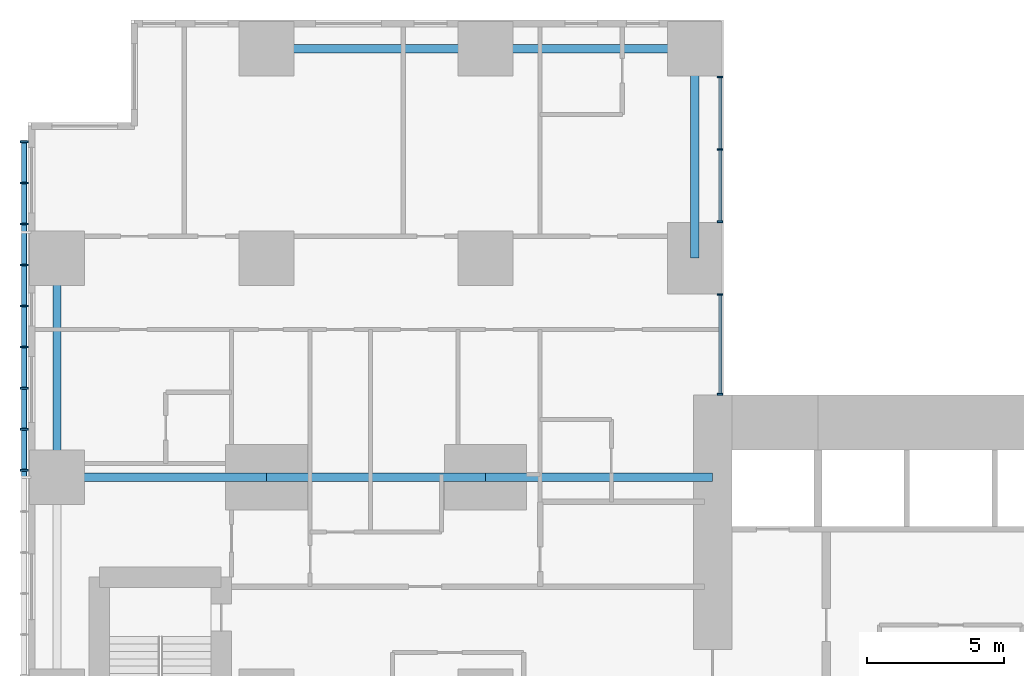
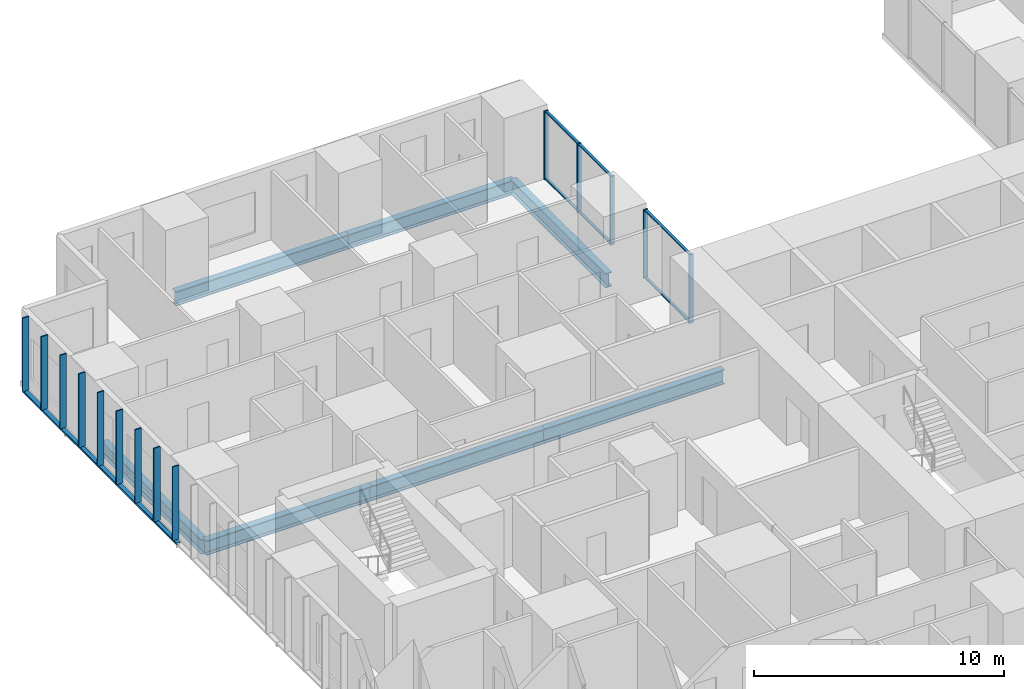
# One storey, part 4 of 20: 21 members, 7 beams, 2 elements without a shape of their own.
"""IFC4 building model written with IfcOpenShell, lengths in metres."""

from ifc_helpers import new_model, si_unit, direction, frame, origin, origin_2d, place, context, subcontext, project, spatial, rectangle, hollow_rectangle, i_section, extrude, material, layer, layer_set, material_profile, profile_set, type_object, element, aggregate, save


model = new_model("IFC4")

# Units and contexts
model_context = context("Model", 3, precision=1e-05, world=origin(), true_north=direction((0.0, 1.0)))
body_context = subcontext(model_context, "Body", "Model", "MODEL_VIEW")
ifc_project = project(units=[si_unit("LENGTHUNIT", "METRE"), si_unit("AREAUNIT", "SQUARE_METRE"), si_unit("VOLUMEUNIT", "CUBIC_METRE"), si_unit("PLANEANGLEUNIT", "RADIAN"), si_unit("MASSUNIT", "GRAM", prefix="KILO")], contexts=[model_context])

# Site, building, storey
site_placement = place(None, origin())
site = spatial("IfcSite", under=ifc_project, at=site_placement, CompositionType="ELEMENT")
building_placement = place(site_placement, origin())
building = spatial("IfcBuilding", under=site, at=building_placement, Name="Cleftline Residences", CompositionType="ELEMENT")
storey_placement = place(building_placement, frame((0.0, 0.0, 40.39990234375)))
storey = spatial("IfcBuildingStorey", under=building, at=storey_placement, Name="L09", CompositionType="ELEMENT", Elevation=40.39990234375)

# Member
ifc_material_1 = material(Name="Steel S355, hot-dip galvanised", Category="steel")
ifc_material_profile_1 = material_profile(ifc_material_1, hollow_rectangle(XDim=0.10009765625, YDim=0.199951171875, WallThickness=0.008056640625, InnerFilletRadius=0.008056640625, OuterFilletRadius=0.011962890625, at=origin_2d()))
ifc_profile_set_1 = profile_set([ifc_material_profile_1], Name="Steel S355, hot-dip galvanised")
member_type_1 = type_object("IfcMemberType", Name="BAGUETTE CARRIER RHS 200X100X8", PredefinedType="USERDEFINED", material=ifc_profile_set_1)
member_1_placement = place(storey_placement, frame((-0.85009765625, 44.300048828125, -0.0498046875), z_axis=(0.0, -1.0, 0.0), x_axis=(0.0, 0.0, 1.0)))
element("IfcMember", 1, at=member_1_placement, inside=storey, type_object=member_type_1, Name="Baguette carrier", ObjectType="BAGUETTE CARRIER", PredefinedType="USERDEFINED", context=body_context, shape_type="SweptSolid", body=[
    extrude(hollow_rectangle(XDim=0.10009765625, YDim=0.199951171875, WallThickness=0.008056640625, InnerFilletRadius=0.008056640625, OuterFilletRadius=0.011962890625, at=origin_2d()), origin(), (0.0, 0.0, 1.0), 12.300048828125),
])

# Beams
ifc_material_2 = material(Name="Steel S355", Category="steel")
ifc_material_profile_2 = material_profile(ifc_material_2, i_section(OverallWidth=0.300048828125, OverallDepth=0.699951171875, WebThickness=0.01708984375, FlangeThickness=0.031982421875, FilletRadius=0.027099609375, at=origin_2d()))
ifc_profile_set_2 = profile_set([ifc_material_profile_2], Name="Steel S355")
beam_type_1 = type_object("IfcBeamType", Name="BEAM HEB 700", PredefinedType="BEAM", material=ifc_profile_set_2)
for number, where, z_axis, x_axis, name in (
    (2, (0.35009765625, 32.0, -0.599853515625), (0.0, 1.0, 0.0), (-1.0, 0.0, 0.0), "Edge beam"),
    (3, (8.0, 47.64990234375, -0.599853515625), (1.0, 0.0, 0.0), (0.0, 1.0, 0.0), "Edge beam"),
):
    element("IfcBeam", number, at=place(storey_placement, frame(where, z_axis=z_axis, x_axis=x_axis)), inside=storey, type_object=beam_type_1, Name=name, PredefinedType="BEAM", context=body_context, shape_type="SweptSolid", body=[
        extrude(i_section(OverallWidth=0.300048828125, OverallDepth=0.699951171875, WebThickness=0.01708984375, FlangeThickness=0.031982421875, FilletRadius=0.027099609375, at=origin_2d()), origin(), (0.0, 0.0, 1.0), 8.0),
    ])
for number, where, z_axis, x_axis, name in (
    (4, (16.0, 47.64990234375, -0.599853515625), (1.0, 0.0, 0.0), (0.0, 1.0, 0.0), "Edge beam"),
    (5, (23.64990234375, 47.64990234375, -0.599853515625), (0.0, -1.0, 0.0), (1.0, 0.0, 0.0), "Edge beam"),
):
    element("IfcBeam", number, at=place(storey_placement, frame(where, z_axis=z_axis, x_axis=x_axis)), inside=storey, type_object=beam_type_1, Name=name, PredefinedType="BEAM", context=body_context, shape_type="SweptSolid", body=[
        extrude(i_section(OverallWidth=0.300048828125, OverallDepth=0.699951171875, WebThickness=0.01708984375, FlangeThickness=0.031982421875, FilletRadius=0.027099609375, at=origin_2d()), origin(), (0.0, 0.0, 1.0), 7.64990234375),
    ])
ifc_material_3 = material(Name="Steel S355", Category="steel")
ifc_material_profile_3 = material_profile(ifc_material_3, i_section(OverallWidth=0.303955078125, OverallDepth=0.716064453125, WebThickness=0.02099609375, FlangeThickness=0.0400390625, FilletRadius=0.027099609375, at=origin_2d()))
ifc_profile_set_3 = profile_set([ifc_material_profile_3], Name="Steel S355")
beam_type_2 = type_object("IfcBeamType", Name="BEAM HEM 700", PredefinedType="BEAM", material=ifc_profile_set_3)
beam_1_placement = place(storey_placement, frame((0.35009765625, 32.0, -0.60791015625), z_axis=(1.0, 0.0, 0.0), x_axis=(0.0, 1.0, 0.0)))
element("IfcBeam", 6, at=beam_1_placement, inside=storey, type_object=beam_type_2, Name="Band beam", PredefinedType="BEAM", context=body_context, shape_type="SweptSolid", body=[
    extrude(i_section(OverallWidth=0.303955078125, OverallDepth=0.716064453125, WebThickness=0.02099609375, FlangeThickness=0.0400390625, FilletRadius=0.027099609375, at=origin_2d()), origin(), (0.0, 0.0, 1.0), 7.64990234375),
])
beam_2_placement = place(storey_placement, frame((8.0, 32.0, -0.60791015625), z_axis=(1.0, 0.0, 0.0), x_axis=(0.0, 1.0, 0.0)))
element("IfcBeam", 7, at=beam_2_placement, inside=storey, type_object=beam_type_2, Name="Band beam", PredefinedType="BEAM", context=body_context, shape_type="SweptSolid", body=[
    extrude(i_section(OverallWidth=0.303955078125, OverallDepth=0.716064453125, WebThickness=0.02099609375, FlangeThickness=0.0400390625, FilletRadius=0.027099609375, at=origin_2d()), origin(), (0.0, 0.0, 1.0), 8.0),
])
beam_3_placement = place(storey_placement, frame((16.0, 32.0, -0.60791015625), z_axis=(1.0, 0.0, 0.0), x_axis=(0.0, 1.0, 0.0)))
element("IfcBeam", 8, at=beam_3_placement, inside=storey, type_object=beam_type_2, Name="Band beam", PredefinedType="BEAM", context=body_context, shape_type="SweptSolid", body=[
    extrude(i_section(OverallWidth=0.303955078125, OverallDepth=0.716064453125, WebThickness=0.02099609375, FlangeThickness=0.0400390625, FilletRadius=0.027099609375, at=origin_2d()), origin(), (0.0, 0.0, 1.0), 8.300048828125),
])

# Curtain wall, members
ifc_material_4 = material(Name="Aluminium framed curtain wall", Category="aluminium")
ifc_layer = layer(ifc_material_4, 0.199951171875)
ifc_layer_set = layer_set([ifc_layer], Name="CW1 CLEFT GLAZING")
curtain_wall_type = type_object("IfcCurtainWallType", Name="CW1 CLEFT GLAZING", PredefinedType="NOTDEFINED", material=ifc_layer_set)
curtain_wall_1_placement = place(storey_placement, origin())
curtain_wall_1 = element("IfcCurtainWall", 9, at=curtain_wall_1_placement, inside=storey, type_object=curtain_wall_type, Name="Curtain wall CW1", PredefinedType="NOTDEFINED")
ifc_material_5 = material(Name="Aluminium mullion", Category="aluminium")
ifc_material_profile_4 = material_profile(ifc_material_5, rectangle(XDim=0.199951171875, YDim=0.06005859375, at=origin_2d()))
ifc_profile_set_4 = profile_set([ifc_material_profile_4], Name="Aluminium mullion")
member_type_2 = type_object("IfcMemberType", Name="CW1 MULLION", PredefinedType="MULLION", material=ifc_profile_set_4)
member_2_placement = place(storey_placement, frame((24.574951171875, 35.030029296875, 0.0), z_axis=(0.0, 0.0, 1.0), x_axis=(-1.0, 0.0, 0.0)))
member_2 = element("IfcMember", 10, at=member_2_placement, type_object=member_type_2, Name="CW1 mullion 1", PredefinedType="MULLION", context=body_context, shape_type="SweptSolid", body=[
    extrude(rectangle(XDim=0.199951171875, YDim=0.06005859375, at=origin_2d()), origin(), (0.0, 0.0, 1.0), 3.35009765625),
])
member_3_placement = place(storey_placement, frame((24.574951171875, 38.669921875, 0.0), z_axis=(0.0, 0.0, 1.0), x_axis=(-1.0, 0.0, 0.0)))
member_3 = element("IfcMember", 11, at=member_3_placement, type_object=member_type_2, Name="CW1 mullion 2", PredefinedType="MULLION", context=body_context, shape_type="SweptSolid", body=[
    extrude(rectangle(XDim=0.199951171875, YDim=0.06005859375, at=origin_2d()), origin(), (0.0, 0.0, 1.0), 3.35009765625),
])

curtain_wall_2_placement = place(storey_placement, origin())
curtain_wall_2 = element("IfcCurtainWall", 12, at=curtain_wall_2_placement, inside=storey, type_object=curtain_wall_type, Name="Curtain wall CW1", PredefinedType="NOTDEFINED")
member_4_placement = place(storey_placement, frame((24.574951171875, 41.330078125, 0.0), z_axis=(0.0, 0.0, 1.0), x_axis=(-1.0, 0.0, 0.0)))
member_4 = element("IfcMember", 13, at=member_4_placement, type_object=member_type_2, Name="CW1 mullion 1", PredefinedType="MULLION", context=body_context, shape_type="SweptSolid", body=[
    extrude(rectangle(XDim=0.199951171875, YDim=0.06005859375, at=origin_2d()), origin(), (0.0, 0.0, 1.0), 3.35009765625),
])
member_5_placement = place(storey_placement, frame((24.574951171875, 43.97509765625, 0.0), z_axis=(0.0, 0.0, 1.0), x_axis=(-1.0, 0.0, 0.0)))
member_5 = element("IfcMember", 14, at=member_5_placement, type_object=member_type_2, Name="CW1 mullion 2", PredefinedType="MULLION", context=body_context, shape_type="SweptSolid", body=[
    extrude(rectangle(XDim=0.199951171875, YDim=0.06005859375, at=origin_2d()), origin(), (0.0, 0.0, 1.0), 3.35009765625),
])
member_6_placement = place(storey_placement, frame((24.574951171875, 46.6201171875, 0.0), z_axis=(0.0, 0.0, 1.0), x_axis=(-1.0, 0.0, 0.0)))
member_6 = element("IfcMember", 15, at=member_6_placement, type_object=member_type_2, Name="CW1 mullion 3", PredefinedType="MULLION", context=body_context, shape_type="SweptSolid", body=[
    extrude(rectangle(XDim=0.199951171875, YDim=0.06005859375, at=origin_2d()), origin(), (0.0, 0.0, 1.0), 3.35009765625),
])

# Member
ifc_material_6 = material(Name="Aluminium transom", Category="aluminium")
ifc_material_profile_5 = material_profile(ifc_material_6, rectangle(XDim=0.1201171875, YDim=0.06005859375, at=origin_2d()))
ifc_profile_set_5 = profile_set([ifc_material_profile_5], Name="Aluminium transom")
member_type_3 = type_object("IfcMemberType", Name="CW1 TRANSOM", PredefinedType="USERDEFINED", material=ifc_profile_set_5)
member_7_placement = place(storey_placement, frame((24.574951171875, 35.06005859375, 0.030029296875), z_axis=(0.0, 1.0, 0.0), x_axis=(-1.0, 0.0, 0.0)))
member_7 = element("IfcMember", 16, at=member_7_placement, type_object=member_type_3, Name="CW1 transom 1.1", ObjectType="TRANSOM", PredefinedType="USERDEFINED", context=body_context, shape_type="SweptSolid", body=[
    extrude(rectangle(XDim=0.1201171875, YDim=0.06005859375, at=origin_2d()), origin(), (0.0, 0.0, 1.0), 3.579833984375),
])

member_8_placement = place(storey_placement, frame((24.574951171875, 35.06005859375, 3.320068359375), z_axis=(0.0, 1.0, 0.0), x_axis=(-1.0, 0.0, 0.0)))
member_8 = element("IfcMember", 17, at=member_8_placement, type_object=member_type_3, Name="CW1 transom 1.2", ObjectType="TRANSOM", PredefinedType="USERDEFINED", context=body_context, shape_type="SweptSolid", body=[
    extrude(rectangle(XDim=0.1201171875, YDim=0.06005859375, at=origin_2d()), origin(), (0.0, 0.0, 1.0), 3.579833984375),
])

aggregate(curtain_wall_1, [member_2, member_3, member_7, member_8])

member_9_placement = place(storey_placement, frame((24.574951171875, 41.360107421875, 0.030029296875), z_axis=(0.0, 1.0, 0.0), x_axis=(-1.0, 0.0, 0.0)))
member_9 = element("IfcMember", 18, at=member_9_placement, type_object=member_type_3, Name="CW1 transom 1.1", ObjectType="TRANSOM", PredefinedType="USERDEFINED", context=body_context, shape_type="SweptSolid", body=[
    extrude(rectangle(XDim=0.1201171875, YDim=0.06005859375, at=origin_2d()), origin(), (0.0, 0.0, 1.0), 2.5849609375),
])

member_10_placement = place(storey_placement, frame((24.574951171875, 41.360107421875, 3.320068359375), z_axis=(0.0, 1.0, 0.0), x_axis=(-1.0, 0.0, 0.0)))
member_10 = element("IfcMember", 19, at=member_10_placement, type_object=member_type_3, Name="CW1 transom 1.2", ObjectType="TRANSOM", PredefinedType="USERDEFINED", context=body_context, shape_type="SweptSolid", body=[
    extrude(rectangle(XDim=0.1201171875, YDim=0.06005859375, at=origin_2d()), origin(), (0.0, 0.0, 1.0), 2.5849609375),
])

member_11_placement = place(storey_placement, frame((24.574951171875, 44.0048828125, 0.030029296875), z_axis=(0.0, 1.0, 0.0), x_axis=(-1.0, 0.0, 0.0)))
member_11 = element("IfcMember", 20, at=member_11_placement, type_object=member_type_3, Name="CW1 transom 2.1", ObjectType="TRANSOM", PredefinedType="USERDEFINED", context=body_context, shape_type="SweptSolid", body=[
    extrude(rectangle(XDim=0.1201171875, YDim=0.06005859375, at=origin_2d()), origin(), (0.0, 0.0, 1.0), 2.585205078125),
])

member_12_placement = place(storey_placement, frame((24.574951171875, 44.0048828125, 3.320068359375), z_axis=(0.0, 1.0, 0.0), x_axis=(-1.0, 0.0, 0.0)))
member_12 = element("IfcMember", 21, at=member_12_placement, type_object=member_type_3, Name="CW1 transom 2.2", ObjectType="TRANSOM", PredefinedType="USERDEFINED", context=body_context, shape_type="SweptSolid", body=[
    extrude(rectangle(XDim=0.1201171875, YDim=0.06005859375, at=origin_2d()), origin(), (0.0, 0.0, 1.0), 2.585205078125),
])

aggregate(curtain_wall_2, [member_4, member_5, member_6, member_9, member_10, member_11, member_12])

# Members
ifc_material_7 = material(Name="Extruded terracotta", Category="masonry")
ifc_material_profile_6 = material_profile(ifc_material_7, rectangle(XDim=0.06005859375, YDim=0.300048828125, at=origin_2d()))
ifc_profile_set_6 = profile_set([ifc_material_profile_6], Name="Extruded terracotta")
member_type_4 = type_object("IfcMemberType", Name="TERRACOTTA BAGUETTE 60X300", PredefinedType="USERDEFINED", material=ifc_profile_set_6)
for number, where, z_axis, x_axis, name in (
    (22, (-0.85009765625, 44.25, 0.0), (0.0, 0.0, 1.0), (0.0, 1.0, 0.0), "Terracotta baguette"),
    (23, (-0.85009765625, 42.75, 0.0), (0.0, 0.0, 1.0), (0.0, 1.0, 0.0), "Terracotta baguette"),
    (24, (-0.85009765625, 41.25, 0.0), (0.0, 0.0, 1.0), (0.0, 1.0, 0.0), "Terracotta baguette"),
    (25, (-0.85009765625, 39.75, 0.0), (0.0, 0.0, 1.0), (0.0, 1.0, 0.0), "Terracotta baguette"),
    (26, (-0.85009765625, 38.25, 0.0), (0.0, 0.0, 1.0), (0.0, 1.0, 0.0), "Terracotta baguette"),
    (27, (-0.85009765625, 36.75, 0.0), (0.0, 0.0, 1.0), (0.0, 1.0, 0.0), "Terracotta baguette"),
    (28, (-0.85009765625, 35.25, 0.0), (0.0, 0.0, 1.0), (0.0, 1.0, 0.0), "Terracotta baguette"),
    (29, (-0.85009765625, 33.75, 0.0), (0.0, 0.0, 1.0), (0.0, 1.0, 0.0), "Terracotta baguette"),
    (30, (-0.85009765625, 32.25, 0.0), (0.0, 0.0, 1.0), (0.0, 1.0, 0.0), "Terracotta baguette"),
):
    element("IfcMember", number, at=place(storey_placement, frame(where, z_axis=z_axis, x_axis=x_axis)), inside=storey, type_object=member_type_4, Name=name, ObjectType="BAGUETTE", PredefinedType="USERDEFINED", context=body_context, shape_type="SweptSolid", body=[
        extrude(rectangle(XDim=0.06005859375, YDim=0.300048828125, at=origin_2d()), origin(), (0.0, 0.0, 1.0), 3.60009765625),
    ])

save(model, "model.ifc")
